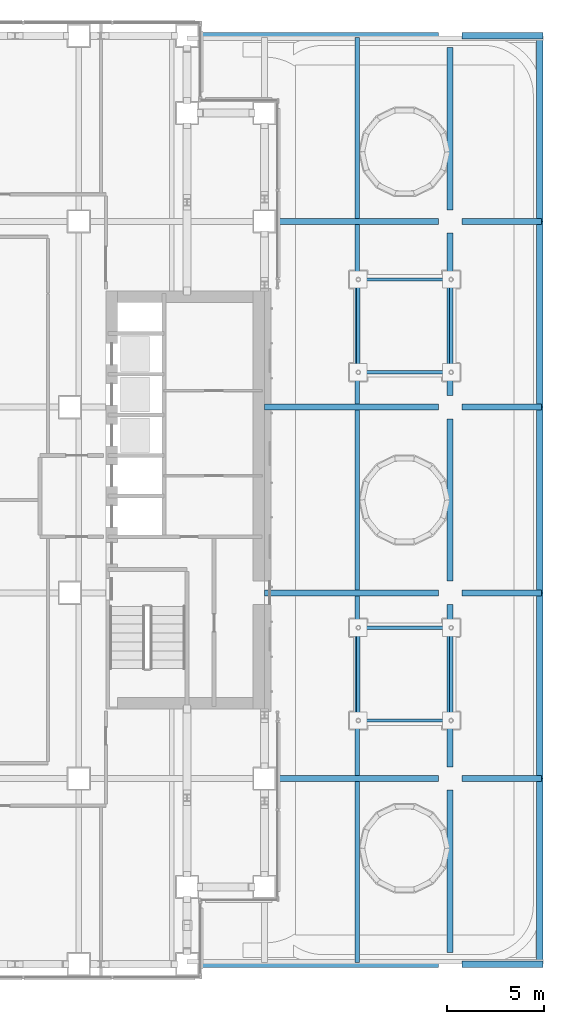
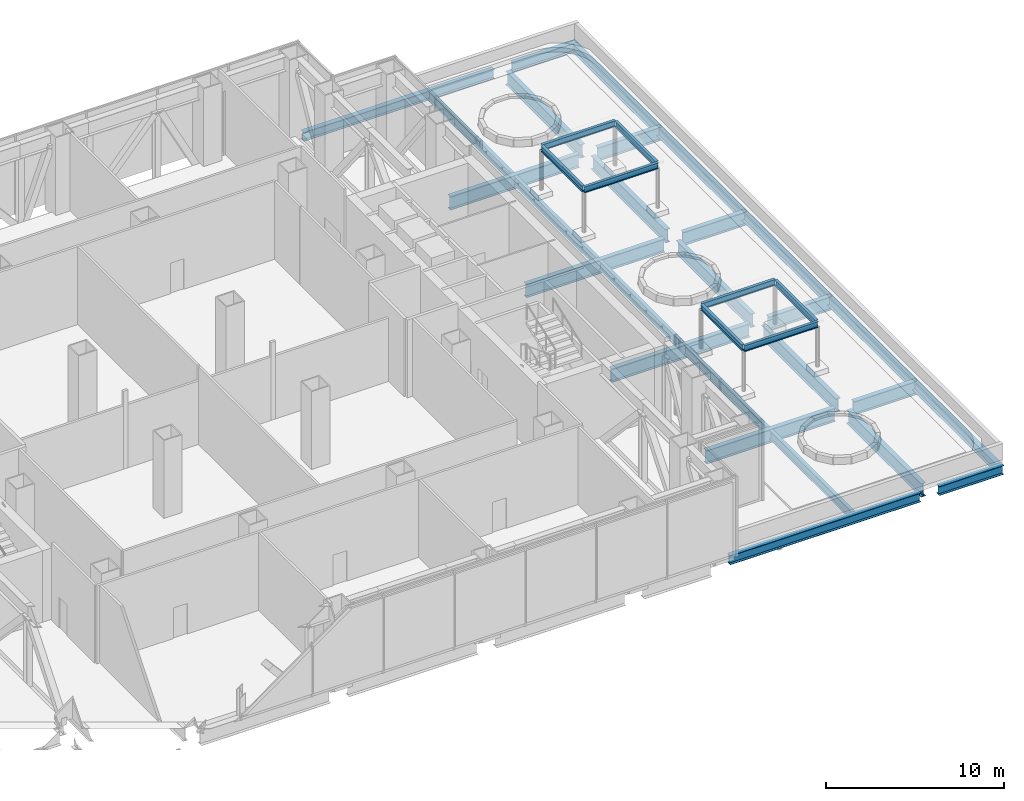
# One storey, part 15 of 39: 35 beams.
"""IFC4 building model written with IfcOpenShell, lengths in metres."""

from ifc_helpers import new_model, si_unit, direction, frame, origin, origin_2d, place, context, subcontext, project, spatial, i_section, extrude, material, material_profile, profile_set, type_object, element, save


model = new_model("IFC4")

# Units and contexts
model_context = context("Model", 3, precision=1e-05, world=origin(), true_north=direction((0.0, 1.0)))
body_context = subcontext(model_context, "Body", "Model", "MODEL_VIEW")
ifc_project = project(units=[si_unit("LENGTHUNIT", "METRE"), si_unit("AREAUNIT", "SQUARE_METRE"), si_unit("VOLUMEUNIT", "CUBIC_METRE"), si_unit("PLANEANGLEUNIT", "RADIAN"), si_unit("MASSUNIT", "GRAM", prefix="KILO")], contexts=[model_context])

# Site, building, storey
site_placement = place(None, origin())
site = spatial("IfcSite", under=ifc_project, at=site_placement, CompositionType="ELEMENT")
building_placement = place(site_placement, origin())
building = spatial("IfcBuilding", under=site, at=building_placement, Name="Cobrizo Arcos Hotel Tower", CompositionType="ELEMENT")
storey_placement = place(building_placement, frame((0.0, 0.0, 33.5)))
storey = spatial("IfcBuildingStorey", under=building, at=storey_placement, Name="L06", CompositionType="ELEMENT", Elevation=33.5)

# Beams
ifc_material = material(Name="Steel ASTM A992 Grade 50", Category="steel")
ifc_material_profile_1 = material_profile(ifc_material, i_section(OverallWidth=0.177734375, OverallDepth=0.406494140625, WebThickness=0.0078125, FlangeThickness=0.0126953125, at=origin_2d()), Name="W16X40")
ifc_profile_set_1 = profile_set([ifc_material_profile_1], Name="Steel ASTM A992 Grade 50")
beam_type_1 = type_object("IfcBeamType", Name="W16X40 pavilion beam", PredefinedType="BEAM", material=ifc_profile_set_1)
beam_1_placement = place(storey_placement, frame((28.85009765625, -11.39990234375, 3.353271484375), z_axis=(1.0, 0.0, 0.0), x_axis=(0.0, 1.0, 0.0)))
element("IfcBeam", 1, at=beam_1_placement, inside=storey, type_object=beam_type_1, Name="Pavilion 3 beam 1", PredefinedType="BEAM", context=body_context, shape_type="SweptSolid", body=[
    extrude(i_section(OverallWidth=0.177734375, OverallDepth=0.406494140625, WebThickness=0.0078125, FlangeThickness=0.0126953125, at=origin_2d()), origin(), (0.0, 0.0, 1.0), 4.7998046875),
])
beam_2_placement = place(storey_placement, frame((33.64990234375, -11.300048828125, 3.353271484375), z_axis=(0.0, 1.0, 0.0), x_axis=(-1.0, 0.0, 0.0)))
element("IfcBeam", 2, at=beam_2_placement, inside=storey, type_object=beam_type_1, Name="Pavilion 3 beam 2", PredefinedType="BEAM", context=body_context, shape_type="SweptSolid", body=[
    extrude(i_section(OverallWidth=0.177734375, OverallDepth=0.406494140625, WebThickness=0.0078125, FlangeThickness=0.0126953125, at=origin_2d()), origin(), (0.0, 0.0, 1.0), 4.60009765625),
])
beam_3_placement = place(storey_placement, frame((33.64990234375, -6.60009765625, 3.353271484375), z_axis=(-1.0, 0.0, 0.0), x_axis=(0.0, -1.0, 0.0)))
element("IfcBeam", 3, at=beam_3_placement, inside=storey, type_object=beam_type_1, Name="Pavilion 3 beam 3", PredefinedType="BEAM", context=body_context, shape_type="SweptSolid", body=[
    extrude(i_section(OverallWidth=0.177734375, OverallDepth=0.406494140625, WebThickness=0.0078125, FlangeThickness=0.0126953125, at=origin_2d()), origin(), (0.0, 0.0, 1.0), 4.7998046875),
])
beam_4_placement = place(storey_placement, frame((28.85009765625, -6.699951171875, 3.353271484375), z_axis=(0.0, -1.0, 0.0), x_axis=(1.0, 0.0, 0.0)))
element("IfcBeam", 4, at=beam_4_placement, inside=storey, type_object=beam_type_1, Name="Pavilion 3 beam 4", PredefinedType="BEAM", context=body_context, shape_type="SweptSolid", body=[
    extrude(i_section(OverallWidth=0.177734375, OverallDepth=0.406494140625, WebThickness=0.0078125, FlangeThickness=0.0126953125, at=origin_2d()), origin(), (0.0, 0.0, 1.0), 4.60009765625),
])
beam_5_placement = place(storey_placement, frame((28.85009765625, 6.60009765625, 3.353271484375), z_axis=(1.0, 0.0, 0.0), x_axis=(0.0, 1.0, 0.0)))
element("IfcBeam", 5, at=beam_5_placement, inside=storey, type_object=beam_type_1, Name="Pavilion 4 beam 1", PredefinedType="BEAM", context=body_context, shape_type="SweptSolid", body=[
    extrude(i_section(OverallWidth=0.177734375, OverallDepth=0.406494140625, WebThickness=0.0078125, FlangeThickness=0.0126953125, at=origin_2d()), origin(), (0.0, 0.0, 1.0), 4.7998046875),
])
beam_6_placement = place(storey_placement, frame((33.64990234375, 6.699951171875, 3.353271484375), z_axis=(0.0, 1.0, 0.0), x_axis=(-1.0, 0.0, 0.0)))
element("IfcBeam", 6, at=beam_6_placement, inside=storey, type_object=beam_type_1, Name="Pavilion 4 beam 2", PredefinedType="BEAM", context=body_context, shape_type="SweptSolid", body=[
    extrude(i_section(OverallWidth=0.177734375, OverallDepth=0.406494140625, WebThickness=0.0078125, FlangeThickness=0.0126953125, at=origin_2d()), origin(), (0.0, 0.0, 1.0), 4.60009765625),
])
beam_7_placement = place(storey_placement, frame((33.64990234375, 11.39990234375, 3.353271484375), z_axis=(-1.0, 0.0, 0.0), x_axis=(0.0, -1.0, 0.0)))
element("IfcBeam", 7, at=beam_7_placement, inside=storey, type_object=beam_type_1, Name="Pavilion 4 beam 3", PredefinedType="BEAM", context=body_context, shape_type="SweptSolid", body=[
    extrude(i_section(OverallWidth=0.177734375, OverallDepth=0.406494140625, WebThickness=0.0078125, FlangeThickness=0.0126953125, at=origin_2d()), origin(), (0.0, 0.0, 1.0), 4.7998046875),
])
beam_8_placement = place(storey_placement, frame((28.85009765625, 11.300048828125, 3.353271484375), z_axis=(0.0, -1.0, 0.0), x_axis=(1.0, 0.0, 0.0)))
element("IfcBeam", 8, at=beam_8_placement, inside=storey, type_object=beam_type_1, Name="Pavilion 4 beam 4", PredefinedType="BEAM", context=body_context, shape_type="SweptSolid", body=[
    extrude(i_section(OverallWidth=0.177734375, OverallDepth=0.406494140625, WebThickness=0.0078125, FlangeThickness=0.0126953125, at=origin_2d()), origin(), (0.0, 0.0, 1.0), 4.60009765625),
])
ifc_material_profile_2 = material_profile(ifc_material, i_section(OverallWidth=0.32763671875, OverallDepth=0.622314453125, WebThickness=0.015380859375, FlangeThickness=0.0244140625, at=origin_2d()), Name="W24X131")
ifc_profile_set_2 = profile_set([ifc_material_profile_2], Name="Steel ASTM A992 Grade 50")
beam_type_2 = type_object("IfcBeamType", Name="W24X131 edge beam", PredefinedType="BEAM", material=ifc_profile_set_2)
beam_9_placement = place(storey_placement, frame((34.199951171875, 24.0, -0.611083984375), z_axis=(1.0, 0.0, 0.0), x_axis=(0.0, 1.0, 0.0)))
element("IfcBeam", 9, at=beam_9_placement, inside=storey, type_object=beam_type_2, Name="Edge beam EB1, L06, no. 002", PredefinedType="BEAM", context=body_context, shape_type="SweptSolid", body=[
    extrude(i_section(OverallWidth=0.32763671875, OverallDepth=0.622314453125, WebThickness=0.015380859375, FlangeThickness=0.0244140625, at=origin_2d()), origin(), (0.0, 0.0, 1.0), 4.199951171875),
])
beam_10_placement = place(storey_placement, frame((38.236083984375, 24.0, -0.611083984375), z_axis=(0.0, -1.0, 0.0), x_axis=(1.0, 0.0, 0.0)))
element("IfcBeam", 10, at=beam_10_placement, inside=storey, type_object=beam_type_2, Name="Edge beam EB1, L06, no. 003", PredefinedType="BEAM", context=body_context, shape_type="SweptSolid", body=[
    extrude(i_section(OverallWidth=0.32763671875, OverallDepth=0.622314453125, WebThickness=0.015380859375, FlangeThickness=0.0244140625, at=origin_2d()), origin(), (0.0, 0.0, 1.0), 9.60009765625),
])
beam_11_placement = place(storey_placement, frame((38.236083984375, 14.39990234375, -0.611083984375), z_axis=(0.0, -1.0, 0.0), x_axis=(1.0, 0.0, 0.0)))
element("IfcBeam", 11, at=beam_11_placement, inside=storey, type_object=beam_type_2, Name="Edge beam EB1, L06, no. 004", PredefinedType="BEAM", context=body_context, shape_type="SweptSolid", body=[
    extrude(i_section(OverallWidth=0.32763671875, OverallDepth=0.622314453125, WebThickness=0.015380859375, FlangeThickness=0.0244140625, at=origin_2d()), origin(), (0.0, 0.0, 1.0), 9.599853515625),
])
beam_12_placement = place(storey_placement, frame((38.236083984375, 4.800048828125, -0.611083984375), z_axis=(0.0, -1.0, 0.0), x_axis=(1.0, 0.0, 0.0)))
element("IfcBeam", 12, at=beam_12_placement, inside=storey, type_object=beam_type_2, Name="Edge beam EB1, L06, no. 005", PredefinedType="BEAM", context=body_context, shape_type="SweptSolid", body=[
    extrude(i_section(OverallWidth=0.32763671875, OverallDepth=0.622314453125, WebThickness=0.015380859375, FlangeThickness=0.0244140625, at=origin_2d()), origin(), (0.0, 0.0, 1.0), 9.60009765625),
])
beam_13_placement = place(storey_placement, frame((38.236083984375, -4.800048828125, -0.611083984375), z_axis=(0.0, -1.0, 0.0), x_axis=(1.0, 0.0, 0.0)))
element("IfcBeam", 13, at=beam_13_placement, inside=storey, type_object=beam_type_2, Name="Edge beam EB1, L06, no. 006", PredefinedType="BEAM", context=body_context, shape_type="SweptSolid", body=[
    extrude(i_section(OverallWidth=0.32763671875, OverallDepth=0.622314453125, WebThickness=0.015380859375, FlangeThickness=0.0244140625, at=origin_2d()), origin(), (0.0, 0.0, 1.0), 9.599853515625),
])
beam_14_placement = place(storey_placement, frame((38.236083984375, -14.39990234375, -0.611083984375), z_axis=(0.0, -1.0, 0.0), x_axis=(1.0, 0.0, 0.0)))
element("IfcBeam", 14, at=beam_14_placement, inside=storey, type_object=beam_type_2, Name="Edge beam EB1, L06, no. 007", PredefinedType="BEAM", context=body_context, shape_type="SweptSolid", body=[
    extrude(i_section(OverallWidth=0.32763671875, OverallDepth=0.622314453125, WebThickness=0.015380859375, FlangeThickness=0.0244140625, at=origin_2d()), origin(), (0.0, 0.0, 1.0), 9.60009765625),
])
beam_15_placement = place(storey_placement, frame((38.39990234375, -24.0, -0.611083984375), z_axis=(-1.0, 0.0, 0.0), x_axis=(0.0, -1.0, 0.0)))
element("IfcBeam", 15, at=beam_15_placement, inside=storey, type_object=beam_type_2, Name="Edge beam EB1, L06, no. 008", PredefinedType="BEAM", context=body_context, shape_type="SweptSolid", body=[
    extrude(i_section(OverallWidth=0.32763671875, OverallDepth=0.622314453125, WebThickness=0.015380859375, FlangeThickness=0.0244140625, at=origin_2d()), origin(), (0.0, 0.0, 1.0), 4.199951171875),
])
ifc_material_profile_3 = material_profile(ifc_material, i_section(OverallWidth=0.32763671875, OverallDepth=0.622314453125, WebThickness=0.015380859375, FlangeThickness=0.0244140625, at=origin_2d()), Name="W24X131")
ifc_profile_set_3 = profile_set([ifc_material_profile_3], Name="Steel ASTM A992 Grade 50")
beam_type_3 = type_object("IfcBeamType", Name="W24X131 spandrel", PredefinedType="SPANDREL", material=ifc_profile_set_3)
for number, where, z_axis, x_axis, name in (
    (16, (20.60009765625, 24.0, -0.611083984375), (1.0, 0.0, 0.0), (0.0, 1.0, 0.0), "Spandrel beam W24X131, L06, no. 002"),
    (17, (33.0, -24.0, -0.611083984375), (-1.0, 0.0, 0.0), (0.0, -1.0, 0.0), "Spandrel beam W24X131, L06, no. 003"),
):
    element("IfcBeam", number, at=place(storey_placement, frame(where, z_axis=z_axis, x_axis=x_axis)), inside=storey, type_object=beam_type_3, Name=name, PredefinedType="SPANDREL", context=body_context, shape_type="SweptSolid", body=[
        extrude(i_section(OverallWidth=0.32763671875, OverallDepth=0.622314453125, WebThickness=0.015380859375, FlangeThickness=0.0244140625, at=origin_2d()), origin(), (0.0, 0.0, 1.0), 12.39990234375),
    ])
ifc_material_profile_4 = material_profile(ifc_material, i_section(OverallWidth=0.23046875, OverallDepth=0.6171875, WebThickness=0.01318359375, FlangeThickness=0.022216796875, at=origin_2d()), Name="W24X94")
ifc_profile_set_4 = profile_set([ifc_material_profile_4], Name="Steel ASTM A992 Grade 50")
beam_type_4 = type_object("IfcBeamType", Name="W24X94 podium joist", PredefinedType="JOIST", material=ifc_profile_set_4)
beam_16_placement = place(storey_placement, frame((28.800048828125, -23.909912109375, -0.608642578125), z_axis=(0.0, 1.0, 0.0), x_axis=(-1.0, 0.0, 0.0)))
element("IfcBeam", 18, at=beam_16_placement, inside=storey, type_object=beam_type_4, Name="Podium joist PJ1, L06, no. 029", PredefinedType="JOIST", context=body_context, shape_type="SweptSolid", body=[
    extrude(i_section(OverallWidth=0.23046875, OverallDepth=0.6171875, WebThickness=0.01318359375, FlangeThickness=0.022216796875, at=origin_2d()), origin(), (0.0, 0.0, 1.0), 9.356201171875),
])
beam_17_placement = place(storey_placement, frame((28.800048828125, -14.246337890625, -0.608642578125), z_axis=(0.0, 1.0, 0.0), x_axis=(-1.0, 0.0, 0.0)))
element("IfcBeam", 19, at=beam_17_placement, inside=storey, type_object=beam_type_4, Name="Podium joist PJ1, L06, no. 030", PredefinedType="JOIST", context=body_context, shape_type="SweptSolid", body=[
    extrude(i_section(OverallWidth=0.23046875, OverallDepth=0.6171875, WebThickness=0.01318359375, FlangeThickness=0.022216796875, at=origin_2d()), origin(), (0.0, 0.0, 1.0), 9.292724609375),
])
beam_18_placement = place(storey_placement, frame((28.800048828125, -4.646240234375, -0.608642578125), z_axis=(0.0, 1.0, 0.0), x_axis=(-1.0, 0.0, 0.0)))
element("IfcBeam", 20, at=beam_18_placement, inside=storey, type_object=beam_type_4, Name="Podium joist PJ1, L06, no. 031", PredefinedType="JOIST", context=body_context, shape_type="SweptSolid", body=[
    extrude(i_section(OverallWidth=0.23046875, OverallDepth=0.6171875, WebThickness=0.01318359375, FlangeThickness=0.022216796875, at=origin_2d()), origin(), (0.0, 0.0, 1.0), 9.29248046875),
])
beam_19_placement = place(storey_placement, frame((28.800048828125, 4.95361328125, -0.608642578125), z_axis=(0.0, 1.0, 0.0), x_axis=(-1.0, 0.0, 0.0)))
element("IfcBeam", 21, at=beam_19_placement, inside=storey, type_object=beam_type_4, Name="Podium joist PJ1, L06, no. 032", PredefinedType="JOIST", context=body_context, shape_type="SweptSolid", body=[
    extrude(i_section(OverallWidth=0.23046875, OverallDepth=0.6171875, WebThickness=0.01318359375, FlangeThickness=0.022216796875, at=origin_2d()), origin(), (0.0, 0.0, 1.0), 9.292724609375),
])
beam_20_placement = place(storey_placement, frame((28.800048828125, 14.5537109375, -0.608642578125), z_axis=(0.0, 1.0, 0.0), x_axis=(-1.0, 0.0, 0.0)))
element("IfcBeam", 22, at=beam_20_placement, inside=storey, type_object=beam_type_4, Name="Podium joist PJ1, L06, no. 033", PredefinedType="JOIST", context=body_context, shape_type="SweptSolid", body=[
    extrude(i_section(OverallWidth=0.23046875, OverallDepth=0.6171875, WebThickness=0.01318359375, FlangeThickness=0.022216796875, at=origin_2d()), origin(), (0.0, 0.0, 1.0), 9.356201171875),
])
ifc_material_profile_5 = material_profile(ifc_material, i_section(OverallWidth=0.307373046875, OverallDepth=0.927001953125, WebThickness=0.01953125, FlangeThickness=0.031982421875, at=origin_2d()), Name="W36X194")
ifc_profile_set_5 = profile_set([ifc_material_profile_5], Name="Steel ASTM A992 Grade 50")
beam_type_5 = type_object("IfcBeamType", Name="W36X194 podium girder", PredefinedType="BEAM", material=ifc_profile_set_5)
beam_21_placement = place(storey_placement, frame((24.60009765625, -14.39990234375, -0.763427734375), z_axis=(1.0, 0.0, 0.0), x_axis=(0.0, 1.0, 0.0)))
element("IfcBeam", 23, at=beam_21_placement, inside=storey, type_object=beam_type_5, Name="Podium girder PG1, L06, no. 010", PredefinedType="BEAM", context=body_context, shape_type="SweptSolid", body=[
    extrude(i_section(OverallWidth=0.307373046875, OverallDepth=0.927001953125, WebThickness=0.01953125, FlangeThickness=0.031982421875, at=origin_2d()), origin(), (0.0, 0.0, 1.0), 8.39990234375),
])
beam_22_placement = place(storey_placement, frame((34.199951171875, -14.39990234375, -0.763427734375), z_axis=(1.0, 0.0, 0.0), x_axis=(0.0, 1.0, 0.0)))
element("IfcBeam", 24, at=beam_22_placement, inside=storey, type_object=beam_type_5, Name="Podium girder PG1, L06, no. 011", PredefinedType="BEAM", context=body_context, shape_type="SweptSolid", body=[
    extrude(i_section(OverallWidth=0.307373046875, OverallDepth=0.927001953125, WebThickness=0.01953125, FlangeThickness=0.031982421875, at=origin_2d()), origin(), (0.0, 0.0, 1.0), 4.110107421875),
])
beam_23_placement = place(storey_placement, frame((24.010009765625, -4.800048828125, -0.763427734375), z_axis=(1.0, 0.0, 0.0), x_axis=(0.0, 1.0, 0.0)))
element("IfcBeam", 25, at=beam_23_placement, inside=storey, type_object=beam_type_5, Name="Podium girder PG1, L06, no. 018", PredefinedType="BEAM", context=body_context, shape_type="SweptSolid", body=[
    extrude(i_section(OverallWidth=0.307373046875, OverallDepth=0.927001953125, WebThickness=0.01953125, FlangeThickness=0.031982421875, at=origin_2d()), origin(), (0.0, 0.0, 1.0), 8.989990234375),
])
beam_24_placement = place(storey_placement, frame((34.199951171875, -4.800048828125, -0.763427734375), z_axis=(1.0, 0.0, 0.0), x_axis=(0.0, 1.0, 0.0)))
element("IfcBeam", 26, at=beam_24_placement, inside=storey, type_object=beam_type_5, Name="Podium girder PG1, L06, no. 019", PredefinedType="BEAM", context=body_context, shape_type="SweptSolid", body=[
    extrude(i_section(OverallWidth=0.307373046875, OverallDepth=0.927001953125, WebThickness=0.01953125, FlangeThickness=0.031982421875, at=origin_2d()), origin(), (0.0, 0.0, 1.0), 4.110107421875),
])
beam_25_placement = place(storey_placement, frame((24.010009765625, 4.800048828125, -0.763427734375), z_axis=(1.0, 0.0, 0.0), x_axis=(0.0, 1.0, 0.0)))
element("IfcBeam", 27, at=beam_25_placement, inside=storey, type_object=beam_type_5, Name="Podium girder PG1, L06, no. 026", PredefinedType="BEAM", context=body_context, shape_type="SweptSolid", body=[
    extrude(i_section(OverallWidth=0.307373046875, OverallDepth=0.927001953125, WebThickness=0.01953125, FlangeThickness=0.031982421875, at=origin_2d()), origin(), (0.0, 0.0, 1.0), 8.989990234375),
])
beam_26_placement = place(storey_placement, frame((34.199951171875, 4.800048828125, -0.763427734375), z_axis=(1.0, 0.0, 0.0), x_axis=(0.0, 1.0, 0.0)))
element("IfcBeam", 28, at=beam_26_placement, inside=storey, type_object=beam_type_5, Name="Podium girder PG1, L06, no. 027", PredefinedType="BEAM", context=body_context, shape_type="SweptSolid", body=[
    extrude(i_section(OverallWidth=0.307373046875, OverallDepth=0.927001953125, WebThickness=0.01953125, FlangeThickness=0.031982421875, at=origin_2d()), origin(), (0.0, 0.0, 1.0), 4.110107421875),
])
beam_27_placement = place(storey_placement, frame((24.60009765625, 14.39990234375, -0.763427734375), z_axis=(1.0, 0.0, 0.0), x_axis=(0.0, 1.0, 0.0)))
element("IfcBeam", 29, at=beam_27_placement, inside=storey, type_object=beam_type_5, Name="Podium girder PG1, L06, no. 037", PredefinedType="BEAM", context=body_context, shape_type="SweptSolid", body=[
    extrude(i_section(OverallWidth=0.307373046875, OverallDepth=0.927001953125, WebThickness=0.01953125, FlangeThickness=0.031982421875, at=origin_2d()), origin(), (0.0, 0.0, 1.0), 8.39990234375),
])
beam_28_placement = place(storey_placement, frame((34.199951171875, 14.39990234375, -0.763427734375), z_axis=(1.0, 0.0, 0.0), x_axis=(0.0, 1.0, 0.0)))
element("IfcBeam", 30, at=beam_28_placement, inside=storey, type_object=beam_type_5, Name="Podium girder PG1, L06, no. 038", PredefinedType="BEAM", context=body_context, shape_type="SweptSolid", body=[
    extrude(i_section(OverallWidth=0.307373046875, OverallDepth=0.927001953125, WebThickness=0.01953125, FlangeThickness=0.031982421875, at=origin_2d()), origin(), (0.0, 0.0, 1.0), 4.110107421875),
])
beam_29_placement = place(storey_placement, frame((33.60009765625, -23.39990234375, -0.763427734375), z_axis=(0.0, 1.0, 0.0), x_axis=(-1.0, 0.0, 0.0)))
element("IfcBeam", 31, at=beam_29_placement, inside=storey, type_object=beam_type_5, Name="Podium girder PG1, L06, no. 068", PredefinedType="BEAM", context=body_context, shape_type="SweptSolid", body=[
    extrude(i_section(OverallWidth=0.307373046875, OverallDepth=0.927001953125, WebThickness=0.01953125, FlangeThickness=0.031982421875, at=origin_2d()), origin(), (0.0, 0.0, 1.0), 8.39990234375),
])
beam_30_placement = place(storey_placement, frame((33.60009765625, -13.800048828125, -0.763427734375), z_axis=(0.0, 1.0, 0.0), x_axis=(-1.0, 0.0, 0.0)))
element("IfcBeam", 32, at=beam_30_placement, inside=storey, type_object=beam_type_5, Name="Podium girder PG1, L06, no. 069", PredefinedType="BEAM", context=body_context, shape_type="SweptSolid", body=[
    extrude(i_section(OverallWidth=0.307373046875, OverallDepth=0.927001953125, WebThickness=0.01953125, FlangeThickness=0.031982421875, at=origin_2d()), origin(), (0.0, 0.0, 1.0), 8.400146484375),
])
beam_31_placement = place(storey_placement, frame((33.60009765625, -4.199951171875, -0.763427734375), z_axis=(0.0, 1.0, 0.0), x_axis=(-1.0, 0.0, 0.0)))
element("IfcBeam", 33, at=beam_31_placement, inside=storey, type_object=beam_type_5, Name="Podium girder PG1, L06, no. 070", PredefinedType="BEAM", context=body_context, shape_type="SweptSolid", body=[
    extrude(i_section(OverallWidth=0.307373046875, OverallDepth=0.927001953125, WebThickness=0.01953125, FlangeThickness=0.031982421875, at=origin_2d()), origin(), (0.0, 0.0, 1.0), 8.39990234375),
])
beam_32_placement = place(storey_placement, frame((33.60009765625, 5.39990234375, -0.763427734375), z_axis=(0.0, 1.0, 0.0), x_axis=(-1.0, 0.0, 0.0)))
element("IfcBeam", 34, at=beam_32_placement, inside=storey, type_object=beam_type_5, Name="Podium girder PG1, L06, no. 071", PredefinedType="BEAM", context=body_context, shape_type="SweptSolid", body=[
    extrude(i_section(OverallWidth=0.307373046875, OverallDepth=0.927001953125, WebThickness=0.01953125, FlangeThickness=0.031982421875, at=origin_2d()), origin(), (0.0, 0.0, 1.0), 8.400146484375),
])
beam_33_placement = place(storey_placement, frame((33.60009765625, 15.0, -0.763427734375), z_axis=(0.0, 1.0, 0.0), x_axis=(-1.0, 0.0, 0.0)))
element("IfcBeam", 35, at=beam_33_placement, inside=storey, type_object=beam_type_5, Name="Podium girder PG1, L06, no. 072", PredefinedType="BEAM", context=body_context, shape_type="SweptSolid", body=[
    extrude(i_section(OverallWidth=0.307373046875, OverallDepth=0.927001953125, WebThickness=0.01953125, FlangeThickness=0.031982421875, at=origin_2d()), origin(), (0.0, 0.0, 1.0), 8.39990234375),
])

save(model, "model.ifc")
